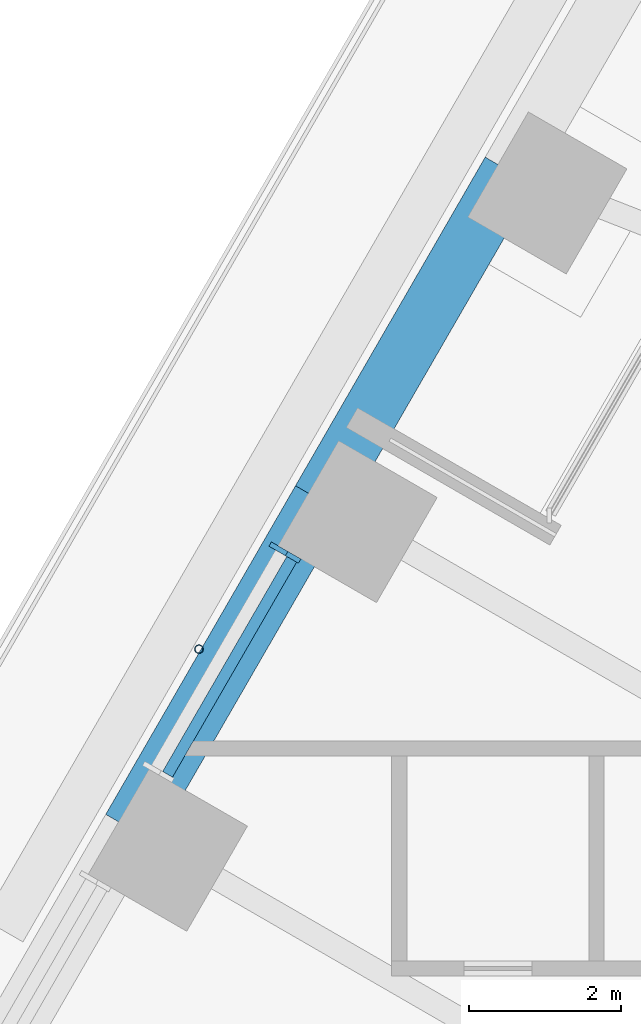
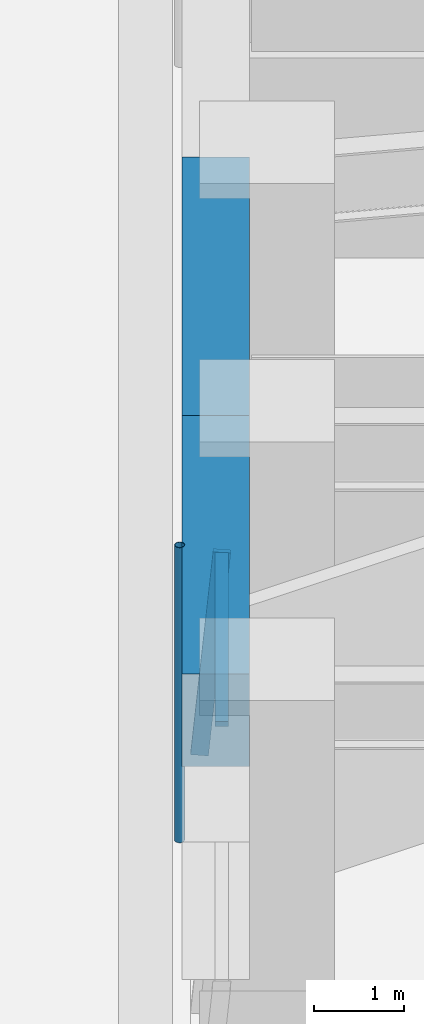
# One storey, part 7 of 24: 3 members, 2 beams, 1 element without a shape of its own.
"""IFC4 building model written with IfcOpenShell, lengths in metres."""

from ifc_helpers import new_model, si_unit, direction, frame, origin, origin_2d, place, context, subcontext, project, spatial, rectangle, hollow_circle, extrude, material, material_profile, profile_set, type_object, element, aggregate, save


model = new_model("IFC4")

# Units and contexts
model_context = context("Model", 3, precision=1e-05, world=origin(), true_north=direction((0.0, 1.0)))
body_context = subcontext(model_context, "Body", "Model", "MODEL_VIEW")
ifc_project = project(units=[si_unit("LENGTHUNIT", "METRE"), si_unit("AREAUNIT", "SQUARE_METRE"), si_unit("VOLUMEUNIT", "CUBIC_METRE"), si_unit("PLANEANGLEUNIT", "RADIAN"), si_unit("MASSUNIT", "GRAM", prefix="KILO")], contexts=[model_context])

# Site, building, storey
site_placement = place(None, origin())
site = spatial("IfcSite", under=ifc_project, at=site_placement, CompositionType="ELEMENT")
building_placement = place(site_placement, origin())
building = spatial("IfcBuilding", under=site, at=building_placement, Name="Tarfa Lantern Tower", CompositionType="ELEMENT")
storey_placement = place(building_placement, frame((0.0, 0.0, 144.699951171875)))
storey = spatial("IfcBuildingStorey", under=building, at=storey_placement, Name="L32", CompositionType="ELEMENT", Elevation=144.699951171875)

# Curtain wall, members
ifc_material_1 = material(Name="Aluminium framed curtain wall", Category="aluminium")
curtain_wall_type = type_object("IfcCurtainWallType", Name="CW2 CANTED GLAZING MID ZONE 2750", PredefinedType="USERDEFINED", material=ifc_material_1)
curtain_wall_placement = place(storey_placement, origin())
curtain_wall = element("IfcCurtainWall", 1, at=curtain_wall_placement, inside=storey, type_object=curtain_wall_type, Name="CW2 NWB L32", ObjectType="CURTAIN WALL", PredefinedType="USERDEFINED")
ifc_material_2 = material(Name="Aluminium mullion", Category="aluminium")
ifc_material_profile_1 = material_profile(ifc_material_2, rectangle(XDim=0.06494140625, YDim=0.199951171875, at=origin_2d()), Name="AL MULLION 65x200")
ifc_profile_set_1 = profile_set([ifc_material_profile_1], Name="Aluminium mullion")
member_type_1 = type_object("IfcMemberType", Name="CWM1 MULLION 65x200", PredefinedType="MULLION", material=ifc_profile_set_1)
member_1_placement = place(storey_placement, frame((-30.111328125, 10.645751953125, 0.0), z_axis=(0.078422950161, -0.045267813396, 0.995891894715), x_axis=(0.499919672301, 0.866071776036, 0.0)))
member_1 = element("IfcMember", 2, at=member_1_placement, type_object=member_type_1, Name="CW2 mullion 1", PredefinedType="MULLION", context=body_context, shape_type="SweptSolid", body=[
    extrude(rectangle(XDim=0.06494140625, YDim=0.199951171875, at=origin_2d()), origin(), (0.0, 0.0, 1.0), 2.76123046875),
])
ifc_material_3 = material(Name="Aluminium transom", Category="aluminium")
ifc_material_profile_2 = material_profile(ifc_material_3, rectangle(XDim=0.14990234375, YDim=0.06494140625, at=origin_2d()), Name="AL TRANSOM 150x65")
ifc_profile_set_2 = profile_set([ifc_material_profile_2], Name="Aluminium transom")
member_type_2 = type_object("IfcMemberType", Name="CWT1 TRANSOM 150x65", PredefinedType="USERDEFINED", material=ifc_profile_set_2)
member_2_placement = place(storey_placement, frame((-29.91357421875, 10.494140625, 2.717529296875), z_axis=(-0.500012937857, -0.86601793398, 0.0), x_axis=(0.86601793398, -0.500012937857, 0.0)))
member_2 = element("IfcMember", 3, at=member_2_placement, type_object=member_type_2, Name="CW2 transom 1.2", ObjectType="TRANSOM", PredefinedType="USERDEFINED", context=body_context, shape_type="SweptSolid", body=[
    extrude(rectangle(XDim=0.14990234375, YDim=0.06494140625, at=origin_2d()), origin(), (0.0, 0.0, 1.0), 3.27392578125),
])
aggregate(curtain_wall, [member_1, member_2])

# Beams
ifc_material_4 = material(Name="Concrete C80/95", Category="concrete")
ifc_material_profile_3 = material_profile(ifc_material_4, rectangle(XDim=0.75, YDim=1.25, at=origin_2d()), Name="RC 750x1250")
ifc_profile_set_3 = profile_set([ifc_material_profile_3], Name="Concrete C80/95")
beam_type = type_object("IfcBeamType", Name="EB2 RC 750x1250", PredefinedType="SPANDREL", material=ifc_profile_set_3)
for number, where, z_axis, x_axis, name in (
    (4, (-27.037353515625, 15.610107421875, 3.375), (-0.499964603504, -0.866045838996, 0.0), (0.866045838996, -0.499964603504, 0.0), "Edge beam NW3"),
    (5, (-29.5390625, 11.276611328125, 3.375), (-0.500022324899, -0.866012514114, 0.0), (0.866012514114, -0.500022324899, 0.0), "Edge beam NW4"),
):
    element("IfcBeam", number, at=place(storey_placement, frame(where, z_axis=z_axis, x_axis=x_axis)), inside=storey, type_object=beam_type, Name=name, PredefinedType="SPANDREL", context=body_context, shape_type="SweptSolid", body=[
        extrude(rectangle(XDim=0.75, YDim=1.25, at=origin_2d()), origin(), (0.0, 0.0, 1.0), 5.003662109375),
    ])

# Member
ifc_material_5 = material(Name="Steel S355", Category="steel")
ifc_material_profile_4 = material_profile(ifc_material_5, hollow_circle(Radius=0.05712890625, WallThickness=0.00634765625, at=origin_2d()), Name="CHS114.3x6.3")
ifc_profile_set_4 = profile_set([ifc_material_profile_4], Name="Steel S355")
member_type_3 = type_object("IfcMemberType", Name="TR1 GREEN WALL TRELLIS CHS114.3x6.3", PredefinedType="USERDEFINED", material=ifc_profile_set_4)
member_3_placement = place(storey_placement, frame((-31.136474609375, 9.31005859375, 0.0), z_axis=(0.0, 0.0, 1.0), x_axis=(1.0, 0.0, 0.0)))
element("IfcMember", 6, at=member_3_placement, inside=storey, type_object=member_type_3, Name="Trellis post NW 2", ObjectType="TRELLIS", PredefinedType="USERDEFINED", context=body_context, shape_type="SweptSolid", body=[
    extrude(hollow_circle(Radius=0.05712890625, WallThickness=0.00634765625, at=origin_2d()), origin(), (0.0, 0.0, 1.0), 4.0),
])

save(model, "model.ifc")
